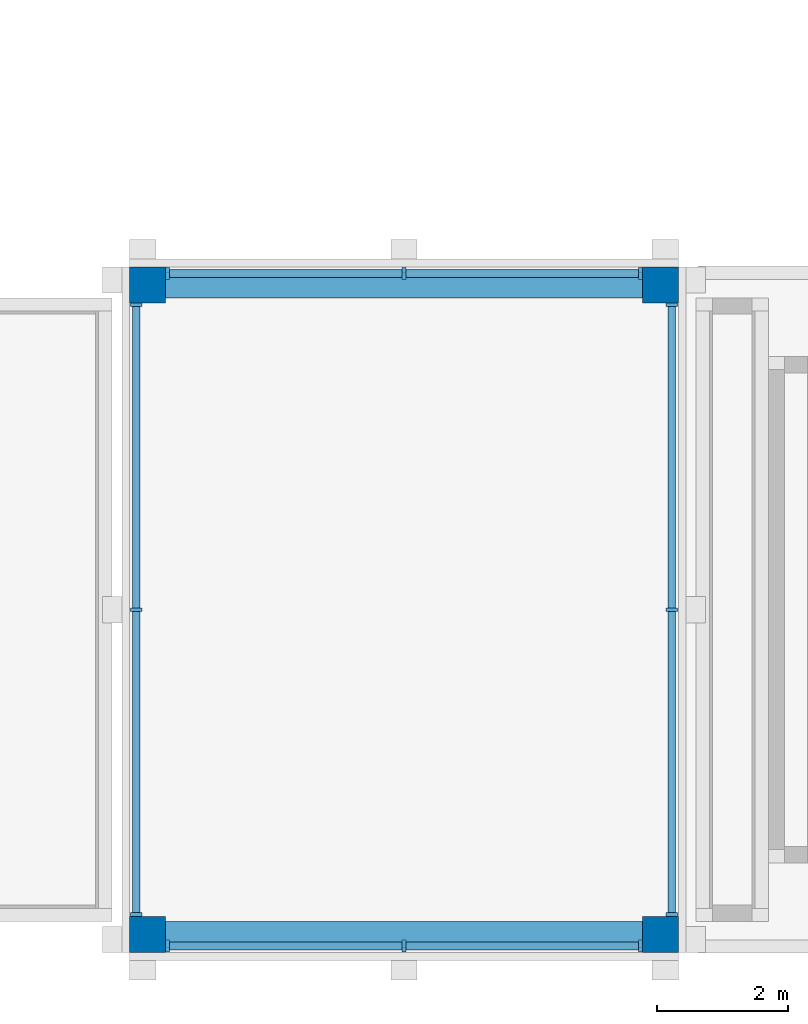
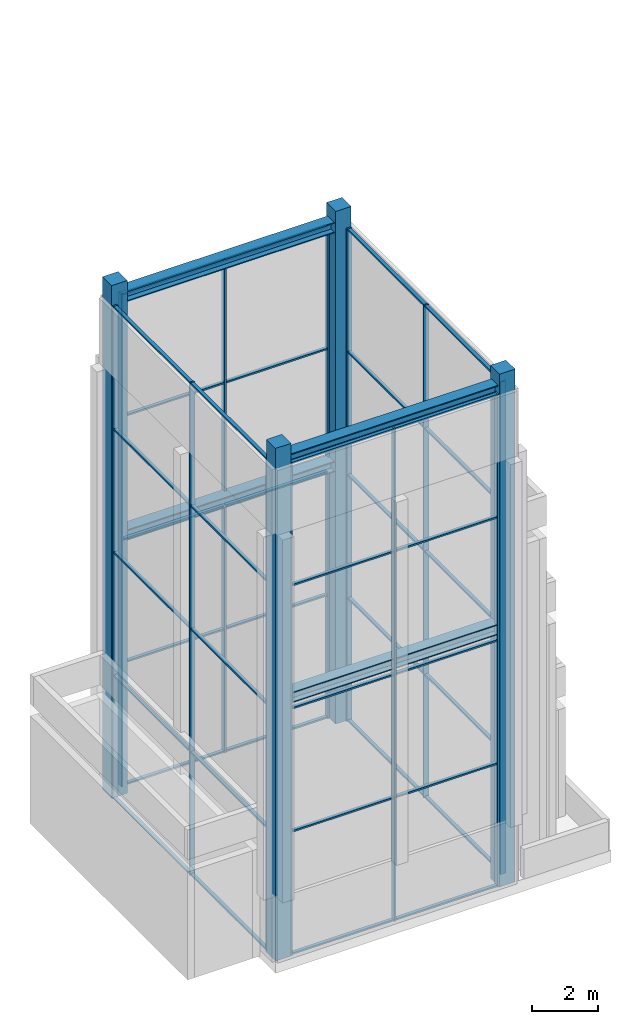
# One storey, part 1 of 4: 52 members, 4 beams, 4 columns, 4 elements without a shape of their own.
"""IFC4 building model written with IfcOpenShell, lengths in metres."""

from ifc_helpers import new_model, si_unit, direction, frame, origin, origin_2d, place, context, subcontext, project, spatial, rectangle, i_section, extrude, source, transform, mapped, material, layer, layer_set, material_profile, profile_set, type_object, element, aggregate, save


model = new_model("IFC4")

# Units and contexts
model_context = context("Model", 3, precision=1e-05, world=origin(), true_north=direction((0.0, 1.0)))
body_context = subcontext(model_context, "Body", "Model", "MODEL_VIEW")
ifc_project = project(units=[si_unit("LENGTHUNIT", "METRE"), si_unit("AREAUNIT", "SQUARE_METRE"), si_unit("VOLUMEUNIT", "CUBIC_METRE"), si_unit("PLANEANGLEUNIT", "RADIAN"), si_unit("MASSUNIT", "GRAM", prefix="KILO")], contexts=[model_context])

# Site, building, storey
site_placement = place(None, origin())
site = spatial("IfcSite", under=ifc_project, at=site_placement, CompositionType="ELEMENT")
building_placement = place(site_placement, origin())
building = spatial("IfcBuilding", under=site, at=building_placement, Name="Aurelian Terraces", CompositionType="ELEMENT")
storey_placement = place(building_placement, frame((0.0, 0.0, 384.5)))
storey = spatial("IfcBuildingStorey", under=building, at=storey_placement, Name="L92", CompositionType="ELEMENT", Elevation=384.5)

# Columns
ifc_material_1 = material(Name="Concrete fc' 55 MPa", Category="concrete")
ifc_material_profile_1 = material_profile(ifc_material_1, rectangle(XDim=0.55, YDim=0.55, at=origin_2d()))
ifc_profile_set_1 = profile_set([ifc_material_profile_1], Name="Concrete fc' 55 MPa")
column_type = type_object("IfcColumnType", Name="RC COLUMN 550X550 FC55", PredefinedType="COLUMN", material=ifc_profile_set_1)
column_placement = place(storey_placement, frame((38.075, 0.275, 0.0), z_axis=(0.0, 0.0, 1.0), x_axis=(1.0, 0.0, 0.0)))
element("IfcColumn", 1, at=column_placement, inside=storey, type_object=column_type, Name="Column 5/A L92", PredefinedType="COLUMN", context=body_context, shape_type="SweptSolid", body=[
    extrude(rectangle(XDim=0.55, YDim=0.55, at=origin_2d()), origin(), (0.0, 0.0, 1.0), 19.0),
])
shared_shape_1 = source(origin(), body_context, "Body", "SweptSolid", [
    extrude(rectangle(XDim=0.55, YDim=0.55, at=origin_2d()), origin(), (0.0, 0.0, 1.0), 19.0),
])
for number, where, z_axis, x_axis, name in (
    (2, (45.925, 0.275, 0.0), (0.0, 0.0, 1.0), (1.0, 0.0, 0.0), "Column 6/A L92"),
    (3, (38.075, 10.225, 0.0), (0.0, 0.0, 1.0), (1.0, 0.0, 0.0), "Column 5/B L92"),
    (4, (45.925, 10.225, 0.0), (0.0, 0.0, 1.0), (1.0, 0.0, 0.0), "Column 6/B L92"),
):
    element("IfcColumn", number, at=place(storey_placement, frame(where, z_axis=z_axis, x_axis=x_axis)), inside=storey, type_object=column_type, Name=name, PredefinedType="COLUMN", context=body_context, shape_type="MappedRepresentation", body=[
        mapped(shared_shape_1, transform((0.0, 0.0, 0.0), scale=1.0)),
    ])

# Beam
ifc_material_2 = material(Name="Steel ASTM A992 Gr50", Category="steel")
ifc_material_profile_2 = material_profile(ifc_material_2, i_section(OverallWidth=0.399, OverallDepth=0.3932, WebThickness=0.0226, FlangeThickness=0.0366, at=origin_2d()))
ifc_profile_set_2 = profile_set([ifc_material_profile_2], Name="Steel ASTM A992 Gr50")
beam_type = type_object("IfcBeamType", Name="CF901 CROWN FRAME RING W14X193", PredefinedType="BEAM", material=ifc_profile_set_2)
beam_placement = place(storey_placement, frame((38.35, 0.275, 9.5), z_axis=(1.0, 0.0, 0.0), x_axis=(0.0, 1.0, 0.0)))
element("IfcBeam", 5, at=beam_placement, inside=storey, type_object=beam_type, Name="Crown frame ring beam MID 1", PredefinedType="BEAM", context=body_context, shape_type="SweptSolid", body=[
    extrude(i_section(OverallWidth=0.399, OverallDepth=0.3932, WebThickness=0.0226, FlangeThickness=0.0366, at=origin_2d()), origin(), (0.0, 0.0, 1.0), 7.3),
])

# Curtain wall, members
ifc_material_3 = material(Name="Anodised aluminium and clear glazing", Category="aluminium")
ifc_layer = layer(ifc_material_3, 0.2)
ifc_layer_set = layer_set([ifc_layer], Name="Crown glazing curtain wall")
curtain_wall_type = type_object("IfcCurtainWallType", Name="Crown glazing curtain wall", PredefinedType="NOTDEFINED", material=ifc_layer_set)
curtain_wall_1_placement = place(storey_placement, origin())
curtain_wall_1 = element("IfcCurtainWall", 6, at=curtain_wall_1_placement, inside=storey, type_object=curtain_wall_type, Name="Crown glazing L92 F01.1", PredefinedType="NOTDEFINED")
ifc_material_4 = material(Name="Anodised aluminium", Category="aluminium")
ifc_material_profile_3 = material_profile(ifc_material_4, rectangle(XDim=0.18, YDim=0.06, at=origin_2d()))
ifc_profile_set_3 = profile_set([ifc_material_profile_3], Name="Anodised aluminium")
member_type_1 = type_object("IfcMemberType", Name="Crown glazing mullion", PredefinedType="MULLION", material=ifc_profile_set_3)
member_1_placement = place(storey_placement, frame((38.38, 0.1, 0.0), z_axis=(0.0, 0.0, 1.0), x_axis=(0.0, 1.0, 0.0)))
member_1 = element("IfcMember", 7, at=member_1_placement, type_object=member_type_1, Name="CW4 mullion 1", PredefinedType="MULLION", context=body_context, shape_type="SweptSolid", body=[
    extrude(rectangle(XDim=0.18, YDim=0.06, at=origin_2d()), origin(), (0.0, 0.0, 1.0), 18.25),
])
ifc_material_profile_4 = material_profile(ifc_material_4, rectangle(XDim=0.12, YDim=0.06, at=origin_2d()))
ifc_profile_set_4 = profile_set([ifc_material_profile_4], Name="Anodised aluminium")
member_type_2 = type_object("IfcMemberType", Name="Crown glazing transom", PredefinedType="USERDEFINED", material=ifc_profile_set_4)
member_2_placement = place(storey_placement, frame((38.41, 0.1, 0.03), z_axis=(1.0, 0.0, 0.0), x_axis=(0.0, 1.0, 0.0)))
member_2 = element("IfcMember", 8, at=member_2_placement, type_object=member_type_2, Name="CW4 transom 1.1", ObjectType="TRANSOM", PredefinedType="USERDEFINED", context=body_context, shape_type="SweptSolid", body=[
    extrude(rectangle(XDim=0.12, YDim=0.06, at=origin_2d()), origin(), (0.0, 0.0, 1.0), 3.56),
])

# Beams
shared_shape_2 = source(origin(), body_context, "Body", "SweptSolid", [
    extrude(i_section(OverallWidth=0.399, OverallDepth=0.3932, WebThickness=0.0226, FlangeThickness=0.0366, at=origin_2d()), origin(), (0.0, 0.0, 1.0), 7.3),
])
for number, where, z_axis, x_axis, name in (
    (9, (38.35, 10.225, 9.5), (1.0, 0.0, 0.0), (0.0, 1.0, 0.0), "Crown frame ring beam MID 2"),
    (10, (38.35, 0.275, 18.3534), (1.0, 0.0, 0.0), (0.0, 1.0, 0.0), "Crown frame ring beam CAP 3"),
    (11, (38.35, 10.225, 18.3534), (1.0, 0.0, 0.0), (0.0, 1.0, 0.0), "Crown frame ring beam CAP 4"),
):
    element("IfcBeam", number, at=place(storey_placement, frame(where, z_axis=z_axis, x_axis=x_axis)), inside=storey, type_object=beam_type, Name=name, PredefinedType="BEAM", context=body_context, shape_type="MappedRepresentation", body=[
        mapped(shared_shape_2, transform((0.0, 0.0, 0.0), scale=1.0)),
    ])

# Curtain wall, members
curtain_wall_2_placement = place(storey_placement, origin())
curtain_wall_2 = element("IfcCurtainWall", 12, at=curtain_wall_2_placement, inside=storey, type_object=curtain_wall_type, Name="Crown glazing L92 F02.1", PredefinedType="NOTDEFINED")
shared_shape_3 = source(origin(), body_context, "Body", "SweptSolid", [
    extrude(rectangle(XDim=0.12, YDim=0.06, at=origin_2d()), origin(), (0.0, 0.0, 1.0), 4.61),
])
member_3_placement = place(storey_placement, frame((46.1, 0.61, 0.03), z_axis=(0.0, 1.0, 0.0), x_axis=(-1.0, 0.0, 0.0)))
member_3 = element("IfcMember", 13, at=member_3_placement, type_object=member_type_2, Name="CW4 transom 1.1", ObjectType="TRANSOM", PredefinedType="USERDEFINED", context=body_context, shape_type="MappedRepresentation", body=[
    mapped(shared_shape_3, transform((0.0, 0.0, 0.0), scale=1.0)),
])
member_4_placement = place(storey_placement, frame((46.1, 0.61, 4.5625), z_axis=(0.0, 1.0, 0.0), x_axis=(-1.0, 0.0, 0.0)))
member_4 = element("IfcMember", 14, at=member_4_placement, type_object=member_type_2, Name="CW4 transom 1.2", ObjectType="TRANSOM", PredefinedType="USERDEFINED", context=body_context, shape_type="MappedRepresentation", body=[
    mapped(shared_shape_3, transform((0.0, 0.0, 0.0), scale=1.0)),
])
member_5_placement = place(storey_placement, frame((46.1, 0.61, 9.125), z_axis=(0.0, 1.0, 0.0), x_axis=(-1.0, 0.0, 0.0)))
member_5 = element("IfcMember", 15, at=member_5_placement, type_object=member_type_2, Name="CW4 transom 1.3", ObjectType="TRANSOM", PredefinedType="USERDEFINED", context=body_context, shape_type="MappedRepresentation", body=[
    mapped(shared_shape_3, transform((0.0, 0.0, 0.0), scale=1.0)),
])
member_6_placement = place(storey_placement, frame((46.1, 0.61, 13.6875), z_axis=(0.0, 1.0, 0.0), x_axis=(-1.0, 0.0, 0.0)))
member_6 = element("IfcMember", 16, at=member_6_placement, type_object=member_type_2, Name="CW4 transom 1.4", ObjectType="TRANSOM", PredefinedType="USERDEFINED", context=body_context, shape_type="MappedRepresentation", body=[
    mapped(shared_shape_3, transform((0.0, 0.0, 0.0), scale=1.0)),
])
member_7_placement = place(storey_placement, frame((46.1, 0.61, 18.22), z_axis=(0.0, 1.0, 0.0), x_axis=(-1.0, 0.0, 0.0)))
member_7 = element("IfcMember", 17, at=member_7_placement, type_object=member_type_2, Name="CW4 transom 1.5", ObjectType="TRANSOM", PredefinedType="USERDEFINED", context=body_context, shape_type="MappedRepresentation", body=[
    mapped(shared_shape_3, transform((0.0, 0.0, 0.0), scale=1.0)),
])
member_8_placement = place(storey_placement, frame((46.1, 5.28, 0.03), z_axis=(0.0, 1.0, 0.0), x_axis=(-1.0, 0.0, 0.0)))
member_8 = element("IfcMember", 18, at=member_8_placement, type_object=member_type_2, Name="CW4 transom 2.1", ObjectType="TRANSOM", PredefinedType="USERDEFINED", context=body_context, shape_type="MappedRepresentation", body=[
    mapped(shared_shape_3, transform((0.0, 0.0, 0.0), scale=1.0)),
])
member_9_placement = place(storey_placement, frame((46.1, 5.28, 4.5625), z_axis=(0.0, 1.0, 0.0), x_axis=(-1.0, 0.0, 0.0)))
member_9 = element("IfcMember", 19, at=member_9_placement, type_object=member_type_2, Name="CW4 transom 2.2", ObjectType="TRANSOM", PredefinedType="USERDEFINED", context=body_context, shape_type="MappedRepresentation", body=[
    mapped(shared_shape_3, transform((0.0, 0.0, 0.0), scale=1.0)),
])
member_10_placement = place(storey_placement, frame((46.1, 5.28, 9.125), z_axis=(0.0, 1.0, 0.0), x_axis=(-1.0, 0.0, 0.0)))
member_10 = element("IfcMember", 20, at=member_10_placement, type_object=member_type_2, Name="CW4 transom 2.3", ObjectType="TRANSOM", PredefinedType="USERDEFINED", context=body_context, shape_type="MappedRepresentation", body=[
    mapped(shared_shape_3, transform((0.0, 0.0, 0.0), scale=1.0)),
])
member_11_placement = place(storey_placement, frame((46.1, 5.28, 13.6875), z_axis=(0.0, 1.0, 0.0), x_axis=(-1.0, 0.0, 0.0)))
member_11 = element("IfcMember", 21, at=member_11_placement, type_object=member_type_2, Name="CW4 transom 2.4", ObjectType="TRANSOM", PredefinedType="USERDEFINED", context=body_context, shape_type="MappedRepresentation", body=[
    mapped(shared_shape_3, transform((0.0, 0.0, 0.0), scale=1.0)),
])
member_12_placement = place(storey_placement, frame((46.1, 5.28, 18.22), z_axis=(0.0, 1.0, 0.0), x_axis=(-1.0, 0.0, 0.0)))
member_12 = element("IfcMember", 22, at=member_12_placement, type_object=member_type_2, Name="CW4 transom 2.5", ObjectType="TRANSOM", PredefinedType="USERDEFINED", context=body_context, shape_type="MappedRepresentation", body=[
    mapped(shared_shape_3, transform((0.0, 0.0, 0.0), scale=1.0)),
])

curtain_wall_3_placement = place(storey_placement, origin())
curtain_wall_3 = element("IfcCurtainWall", 23, at=curtain_wall_3_placement, inside=storey, type_object=curtain_wall_type, Name="Crown glazing L92 F04.1", PredefinedType="NOTDEFINED")
member_13_placement = place(storey_placement, frame((37.9, 9.89, 0.03), z_axis=(0.0, -1.0, 0.0), x_axis=(1.0, 0.0, 0.0)))
member_13 = element("IfcMember", 24, at=member_13_placement, type_object=member_type_2, Name="CW4 transom 1.1", ObjectType="TRANSOM", PredefinedType="USERDEFINED", context=body_context, shape_type="MappedRepresentation", body=[
    mapped(shared_shape_3, transform((0.0, 0.0, 0.0), scale=1.0)),
])
member_14_placement = place(storey_placement, frame((37.9, 9.89, 4.5625), z_axis=(0.0, -1.0, 0.0), x_axis=(1.0, 0.0, 0.0)))
member_14 = element("IfcMember", 25, at=member_14_placement, type_object=member_type_2, Name="CW4 transom 1.2", ObjectType="TRANSOM", PredefinedType="USERDEFINED", context=body_context, shape_type="MappedRepresentation", body=[
    mapped(shared_shape_3, transform((0.0, 0.0, 0.0), scale=1.0)),
])
member_15_placement = place(storey_placement, frame((37.9, 9.89, 9.125), z_axis=(0.0, -1.0, 0.0), x_axis=(1.0, 0.0, 0.0)))
member_15 = element("IfcMember", 26, at=member_15_placement, type_object=member_type_2, Name="CW4 transom 1.3", ObjectType="TRANSOM", PredefinedType="USERDEFINED", context=body_context, shape_type="MappedRepresentation", body=[
    mapped(shared_shape_3, transform((0.0, 0.0, 0.0), scale=1.0)),
])
member_16_placement = place(storey_placement, frame((37.9, 9.89, 13.6875), z_axis=(0.0, -1.0, 0.0), x_axis=(1.0, 0.0, 0.0)))
member_16 = element("IfcMember", 27, at=member_16_placement, type_object=member_type_2, Name="CW4 transom 1.4", ObjectType="TRANSOM", PredefinedType="USERDEFINED", context=body_context, shape_type="MappedRepresentation", body=[
    mapped(shared_shape_3, transform((0.0, 0.0, 0.0), scale=1.0)),
])
member_17_placement = place(storey_placement, frame((37.9, 9.89, 18.22), z_axis=(0.0, -1.0, 0.0), x_axis=(1.0, 0.0, 0.0)))
member_17 = element("IfcMember", 28, at=member_17_placement, type_object=member_type_2, Name="CW4 transom 1.5", ObjectType="TRANSOM", PredefinedType="USERDEFINED", context=body_context, shape_type="MappedRepresentation", body=[
    mapped(shared_shape_3, transform((0.0, 0.0, 0.0), scale=1.0)),
])
member_18_placement = place(storey_placement, frame((37.9, 5.22, 0.03), z_axis=(0.0, -1.0, 0.0), x_axis=(1.0, 0.0, 0.0)))
member_18 = element("IfcMember", 29, at=member_18_placement, type_object=member_type_2, Name="CW4 transom 2.1", ObjectType="TRANSOM", PredefinedType="USERDEFINED", context=body_context, shape_type="MappedRepresentation", body=[
    mapped(shared_shape_3, transform((0.0, 0.0, 0.0), scale=1.0)),
])
member_19_placement = place(storey_placement, frame((37.9, 5.22, 4.5625), z_axis=(0.0, -1.0, 0.0), x_axis=(1.0, 0.0, 0.0)))
member_19 = element("IfcMember", 30, at=member_19_placement, type_object=member_type_2, Name="CW4 transom 2.2", ObjectType="TRANSOM", PredefinedType="USERDEFINED", context=body_context, shape_type="MappedRepresentation", body=[
    mapped(shared_shape_3, transform((0.0, 0.0, 0.0), scale=1.0)),
])
member_20_placement = place(storey_placement, frame((37.9, 5.22, 9.125), z_axis=(0.0, -1.0, 0.0), x_axis=(1.0, 0.0, 0.0)))
member_20 = element("IfcMember", 31, at=member_20_placement, type_object=member_type_2, Name="CW4 transom 2.3", ObjectType="TRANSOM", PredefinedType="USERDEFINED", context=body_context, shape_type="MappedRepresentation", body=[
    mapped(shared_shape_3, transform((0.0, 0.0, 0.0), scale=1.0)),
])
member_21_placement = place(storey_placement, frame((37.9, 5.22, 13.6875), z_axis=(0.0, -1.0, 0.0), x_axis=(1.0, 0.0, 0.0)))
member_21 = element("IfcMember", 32, at=member_21_placement, type_object=member_type_2, Name="CW4 transom 2.4", ObjectType="TRANSOM", PredefinedType="USERDEFINED", context=body_context, shape_type="MappedRepresentation", body=[
    mapped(shared_shape_3, transform((0.0, 0.0, 0.0), scale=1.0)),
])
member_22_placement = place(storey_placement, frame((37.9, 5.22, 18.22), z_axis=(0.0, -1.0, 0.0), x_axis=(1.0, 0.0, 0.0)))
member_22 = element("IfcMember", 33, at=member_22_placement, type_object=member_type_2, Name="CW4 transom 2.5", ObjectType="TRANSOM", PredefinedType="USERDEFINED", context=body_context, shape_type="MappedRepresentation", body=[
    mapped(shared_shape_3, transform((0.0, 0.0, 0.0), scale=1.0)),
])

# Member
shared_shape_4 = source(origin(), body_context, "Body", "SweptSolid", [
    extrude(rectangle(XDim=0.18, YDim=0.06, at=origin_2d()), origin(), (0.0, 0.0, 1.0), 18.25),
])
member_23_placement = place(storey_placement, frame((42.0, 0.1, 0.0), z_axis=(0.0, 0.0, 1.0), x_axis=(0.0, 1.0, 0.0)))
member_23 = element("IfcMember", 34, at=member_23_placement, type_object=member_type_1, Name="CW4 mullion 2", PredefinedType="MULLION", context=body_context, shape_type="MappedRepresentation", body=[
    mapped(shared_shape_4, transform((0.0, 0.0, 0.0), scale=1.0)),
])

member_24_placement = place(storey_placement, frame((45.62, 0.1, 0.0), z_axis=(0.0, 0.0, 1.0), x_axis=(0.0, 1.0, 0.0)))
member_24 = element("IfcMember", 35, at=member_24_placement, type_object=member_type_1, Name="CW4 mullion 3", PredefinedType="MULLION", context=body_context, shape_type="MappedRepresentation", body=[
    mapped(shared_shape_4, transform((0.0, 0.0, 0.0), scale=1.0)),
])

member_25_placement = place(storey_placement, frame((46.1, 0.58, 0.0), z_axis=(0.0, 0.0, 1.0), x_axis=(-1.0, 0.0, 0.0)))
member_25 = element("IfcMember", 36, at=member_25_placement, type_object=member_type_1, Name="CW4 mullion 1", PredefinedType="MULLION", context=body_context, shape_type="MappedRepresentation", body=[
    mapped(shared_shape_4, transform((0.0, 0.0, 0.0), scale=1.0)),
])

member_26_placement = place(storey_placement, frame((46.1, 5.25, 0.0), z_axis=(0.0, 0.0, 1.0), x_axis=(-1.0, 0.0, 0.0)))
member_26 = element("IfcMember", 37, at=member_26_placement, type_object=member_type_1, Name="CW4 mullion 2", PredefinedType="MULLION", context=body_context, shape_type="MappedRepresentation", body=[
    mapped(shared_shape_4, transform((0.0, 0.0, 0.0), scale=1.0)),
])

member_27_placement = place(storey_placement, frame((46.1, 9.92, 0.0), z_axis=(0.0, 0.0, 1.0), x_axis=(-1.0, 0.0, 0.0)))
member_27 = element("IfcMember", 38, at=member_27_placement, type_object=member_type_1, Name="CW4 mullion 3", PredefinedType="MULLION", context=body_context, shape_type="MappedRepresentation", body=[
    mapped(shared_shape_4, transform((0.0, 0.0, 0.0), scale=1.0)),
])

aggregate(curtain_wall_2, [member_25, member_26, member_27, member_3, member_4, member_5, member_6, member_7, member_8, member_9, member_10, member_11, member_12])

# Curtain wall, members
curtain_wall_4_placement = place(storey_placement, origin())
curtain_wall_4 = element("IfcCurtainWall", 39, at=curtain_wall_4_placement, inside=storey, type_object=curtain_wall_type, Name="Crown glazing L92 F03.1", PredefinedType="NOTDEFINED")
member_28_placement = place(storey_placement, frame((45.62, 10.4, 0.0), z_axis=(0.0, 0.0, 1.0), x_axis=(0.0, -1.0, 0.0)))
member_28 = element("IfcMember", 40, at=member_28_placement, type_object=member_type_1, Name="CW4 mullion 1", PredefinedType="MULLION", context=body_context, shape_type="MappedRepresentation", body=[
    mapped(shared_shape_4, transform((0.0, 0.0, 0.0), scale=1.0)),
])
member_29_placement = place(storey_placement, frame((42.0, 10.4, 0.0), z_axis=(0.0, 0.0, 1.0), x_axis=(0.0, -1.0, 0.0)))
member_29 = element("IfcMember", 41, at=member_29_placement, type_object=member_type_1, Name="CW4 mullion 2", PredefinedType="MULLION", context=body_context, shape_type="MappedRepresentation", body=[
    mapped(shared_shape_4, transform((0.0, 0.0, 0.0), scale=1.0)),
])
member_30_placement = place(storey_placement, frame((38.38, 10.4, 0.0), z_axis=(0.0, 0.0, 1.0), x_axis=(0.0, -1.0, 0.0)))
member_30 = element("IfcMember", 42, at=member_30_placement, type_object=member_type_1, Name="CW4 mullion 3", PredefinedType="MULLION", context=body_context, shape_type="MappedRepresentation", body=[
    mapped(shared_shape_4, transform((0.0, 0.0, 0.0), scale=1.0)),
])

# Member
member_31_placement = place(storey_placement, frame((37.9, 9.92, 0.0), z_axis=(0.0, 0.0, 1.0), x_axis=(1.0, 0.0, 0.0)))
member_31 = element("IfcMember", 43, at=member_31_placement, type_object=member_type_1, Name="CW4 mullion 1", PredefinedType="MULLION", context=body_context, shape_type="MappedRepresentation", body=[
    mapped(shared_shape_4, transform((0.0, 0.0, 0.0), scale=1.0)),
])

member_32_placement = place(storey_placement, frame((37.9, 5.25, 0.0), z_axis=(0.0, 0.0, 1.0), x_axis=(1.0, 0.0, 0.0)))
member_32 = element("IfcMember", 44, at=member_32_placement, type_object=member_type_1, Name="CW4 mullion 2", PredefinedType="MULLION", context=body_context, shape_type="MappedRepresentation", body=[
    mapped(shared_shape_4, transform((0.0, 0.0, 0.0), scale=1.0)),
])

member_33_placement = place(storey_placement, frame((37.9, 0.58, 0.0), z_axis=(0.0, 0.0, 1.0), x_axis=(1.0, 0.0, 0.0)))
member_33 = element("IfcMember", 45, at=member_33_placement, type_object=member_type_1, Name="CW4 mullion 3", PredefinedType="MULLION", context=body_context, shape_type="MappedRepresentation", body=[
    mapped(shared_shape_4, transform((0.0, 0.0, 0.0), scale=1.0)),
])

aggregate(curtain_wall_3, [member_31, member_32, member_33, member_13, member_14, member_15, member_16, member_17, member_18, member_19, member_20, member_21, member_22])

shared_shape_5 = source(origin(), body_context, "Body", "SweptSolid", [
    extrude(rectangle(XDim=0.12, YDim=0.06, at=origin_2d()), origin(), (0.0, 0.0, 1.0), 3.56),
])
member_34_placement = place(storey_placement, frame((38.41, 0.1, 4.5625), z_axis=(1.0, 0.0, 0.0), x_axis=(0.0, 1.0, 0.0)))
member_34 = element("IfcMember", 46, at=member_34_placement, type_object=member_type_2, Name="CW4 transom 1.2", ObjectType="TRANSOM", PredefinedType="USERDEFINED", context=body_context, shape_type="MappedRepresentation", body=[
    mapped(shared_shape_5, transform((0.0, 0.0, 0.0), scale=1.0)),
])

member_35_placement = place(storey_placement, frame((38.41, 0.1, 9.125), z_axis=(1.0, 0.0, 0.0), x_axis=(0.0, 1.0, 0.0)))
member_35 = element("IfcMember", 47, at=member_35_placement, type_object=member_type_2, Name="CW4 transom 1.3", ObjectType="TRANSOM", PredefinedType="USERDEFINED", context=body_context, shape_type="MappedRepresentation", body=[
    mapped(shared_shape_5, transform((0.0, 0.0, 0.0), scale=1.0)),
])

member_36_placement = place(storey_placement, frame((38.41, 0.1, 13.6875), z_axis=(1.0, 0.0, 0.0), x_axis=(0.0, 1.0, 0.0)))
member_36 = element("IfcMember", 48, at=member_36_placement, type_object=member_type_2, Name="CW4 transom 1.4", ObjectType="TRANSOM", PredefinedType="USERDEFINED", context=body_context, shape_type="MappedRepresentation", body=[
    mapped(shared_shape_5, transform((0.0, 0.0, 0.0), scale=1.0)),
])

member_37_placement = place(storey_placement, frame((38.41, 0.1, 18.22), z_axis=(1.0, 0.0, 0.0), x_axis=(0.0, 1.0, 0.0)))
member_37 = element("IfcMember", 49, at=member_37_placement, type_object=member_type_2, Name="CW4 transom 1.5", ObjectType="TRANSOM", PredefinedType="USERDEFINED", context=body_context, shape_type="MappedRepresentation", body=[
    mapped(shared_shape_5, transform((0.0, 0.0, 0.0), scale=1.0)),
])

member_38_placement = place(storey_placement, frame((42.03, 0.1, 0.03), z_axis=(1.0, 0.0, 0.0), x_axis=(0.0, 1.0, 0.0)))
member_38 = element("IfcMember", 50, at=member_38_placement, type_object=member_type_2, Name="CW4 transom 2.1", ObjectType="TRANSOM", PredefinedType="USERDEFINED", context=body_context, shape_type="MappedRepresentation", body=[
    mapped(shared_shape_5, transform((0.0, 0.0, 0.0), scale=1.0)),
])

member_39_placement = place(storey_placement, frame((42.03, 0.1, 4.5625), z_axis=(1.0, 0.0, 0.0), x_axis=(0.0, 1.0, 0.0)))
member_39 = element("IfcMember", 51, at=member_39_placement, type_object=member_type_2, Name="CW4 transom 2.2", ObjectType="TRANSOM", PredefinedType="USERDEFINED", context=body_context, shape_type="MappedRepresentation", body=[
    mapped(shared_shape_5, transform((0.0, 0.0, 0.0), scale=1.0)),
])

member_40_placement = place(storey_placement, frame((42.03, 0.1, 9.125), z_axis=(1.0, 0.0, 0.0), x_axis=(0.0, 1.0, 0.0)))
member_40 = element("IfcMember", 52, at=member_40_placement, type_object=member_type_2, Name="CW4 transom 2.3", ObjectType="TRANSOM", PredefinedType="USERDEFINED", context=body_context, shape_type="MappedRepresentation", body=[
    mapped(shared_shape_5, transform((0.0, 0.0, 0.0), scale=1.0)),
])

member_41_placement = place(storey_placement, frame((42.03, 0.1, 13.6875), z_axis=(1.0, 0.0, 0.0), x_axis=(0.0, 1.0, 0.0)))
member_41 = element("IfcMember", 53, at=member_41_placement, type_object=member_type_2, Name="CW4 transom 2.4", ObjectType="TRANSOM", PredefinedType="USERDEFINED", context=body_context, shape_type="MappedRepresentation", body=[
    mapped(shared_shape_5, transform((0.0, 0.0, 0.0), scale=1.0)),
])

member_42_placement = place(storey_placement, frame((42.03, 0.1, 18.22), z_axis=(1.0, 0.0, 0.0), x_axis=(0.0, 1.0, 0.0)))
member_42 = element("IfcMember", 54, at=member_42_placement, type_object=member_type_2, Name="CW4 transom 2.5", ObjectType="TRANSOM", PredefinedType="USERDEFINED", context=body_context, shape_type="MappedRepresentation", body=[
    mapped(shared_shape_5, transform((0.0, 0.0, 0.0), scale=1.0)),
])

aggregate(curtain_wall_1, [member_1, member_23, member_24, member_2, member_34, member_35, member_36, member_37, member_38, member_39, member_40, member_41, member_42])

member_43_placement = place(storey_placement, frame((45.59, 10.4, 0.03), z_axis=(-1.0, 0.0, 0.0), x_axis=(0.0, -1.0, 0.0)))
member_43 = element("IfcMember", 55, at=member_43_placement, type_object=member_type_2, Name="CW4 transom 1.1", ObjectType="TRANSOM", PredefinedType="USERDEFINED", context=body_context, shape_type="MappedRepresentation", body=[
    mapped(shared_shape_5, transform((0.0, 0.0, 0.0), scale=1.0)),
])

member_44_placement = place(storey_placement, frame((45.59, 10.4, 4.5625), z_axis=(-1.0, 0.0, 0.0), x_axis=(0.0, -1.0, 0.0)))
member_44 = element("IfcMember", 56, at=member_44_placement, type_object=member_type_2, Name="CW4 transom 1.2", ObjectType="TRANSOM", PredefinedType="USERDEFINED", context=body_context, shape_type="MappedRepresentation", body=[
    mapped(shared_shape_5, transform((0.0, 0.0, 0.0), scale=1.0)),
])

member_45_placement = place(storey_placement, frame((45.59, 10.4, 9.125), z_axis=(-1.0, 0.0, 0.0), x_axis=(0.0, -1.0, 0.0)))
member_45 = element("IfcMember", 57, at=member_45_placement, type_object=member_type_2, Name="CW4 transom 1.3", ObjectType="TRANSOM", PredefinedType="USERDEFINED", context=body_context, shape_type="MappedRepresentation", body=[
    mapped(shared_shape_5, transform((0.0, 0.0, 0.0), scale=1.0)),
])

member_46_placement = place(storey_placement, frame((45.59, 10.4, 13.6875), z_axis=(-1.0, 0.0, 0.0), x_axis=(0.0, -1.0, 0.0)))
member_46 = element("IfcMember", 58, at=member_46_placement, type_object=member_type_2, Name="CW4 transom 1.4", ObjectType="TRANSOM", PredefinedType="USERDEFINED", context=body_context, shape_type="MappedRepresentation", body=[
    mapped(shared_shape_5, transform((0.0, 0.0, 0.0), scale=1.0)),
])

member_47_placement = place(storey_placement, frame((45.59, 10.4, 18.22), z_axis=(-1.0, 0.0, 0.0), x_axis=(0.0, -1.0, 0.0)))
member_47 = element("IfcMember", 59, at=member_47_placement, type_object=member_type_2, Name="CW4 transom 1.5", ObjectType="TRANSOM", PredefinedType="USERDEFINED", context=body_context, shape_type="MappedRepresentation", body=[
    mapped(shared_shape_5, transform((0.0, 0.0, 0.0), scale=1.0)),
])

member_48_placement = place(storey_placement, frame((41.97, 10.4, 0.03), z_axis=(-1.0, 0.0, 0.0), x_axis=(0.0, -1.0, 0.0)))
member_48 = element("IfcMember", 60, at=member_48_placement, type_object=member_type_2, Name="CW4 transom 2.1", ObjectType="TRANSOM", PredefinedType="USERDEFINED", context=body_context, shape_type="MappedRepresentation", body=[
    mapped(shared_shape_5, transform((0.0, 0.0, 0.0), scale=1.0)),
])

member_49_placement = place(storey_placement, frame((41.97, 10.4, 4.5625), z_axis=(-1.0, 0.0, 0.0), x_axis=(0.0, -1.0, 0.0)))
member_49 = element("IfcMember", 61, at=member_49_placement, type_object=member_type_2, Name="CW4 transom 2.2", ObjectType="TRANSOM", PredefinedType="USERDEFINED", context=body_context, shape_type="MappedRepresentation", body=[
    mapped(shared_shape_5, transform((0.0, 0.0, 0.0), scale=1.0)),
])

member_50_placement = place(storey_placement, frame((41.97, 10.4, 9.125), z_axis=(-1.0, 0.0, 0.0), x_axis=(0.0, -1.0, 0.0)))
member_50 = element("IfcMember", 62, at=member_50_placement, type_object=member_type_2, Name="CW4 transom 2.3", ObjectType="TRANSOM", PredefinedType="USERDEFINED", context=body_context, shape_type="MappedRepresentation", body=[
    mapped(shared_shape_5, transform((0.0, 0.0, 0.0), scale=1.0)),
])

member_51_placement = place(storey_placement, frame((41.97, 10.4, 13.6875), z_axis=(-1.0, 0.0, 0.0), x_axis=(0.0, -1.0, 0.0)))
member_51 = element("IfcMember", 63, at=member_51_placement, type_object=member_type_2, Name="CW4 transom 2.4", ObjectType="TRANSOM", PredefinedType="USERDEFINED", context=body_context, shape_type="MappedRepresentation", body=[
    mapped(shared_shape_5, transform((0.0, 0.0, 0.0), scale=1.0)),
])

member_52_placement = place(storey_placement, frame((41.97, 10.4, 18.22), z_axis=(-1.0, 0.0, 0.0), x_axis=(0.0, -1.0, 0.0)))
member_52 = element("IfcMember", 64, at=member_52_placement, type_object=member_type_2, Name="CW4 transom 2.5", ObjectType="TRANSOM", PredefinedType="USERDEFINED", context=body_context, shape_type="MappedRepresentation", body=[
    mapped(shared_shape_5, transform((0.0, 0.0, 0.0), scale=1.0)),
])

aggregate(curtain_wall_4, [member_28, member_29, member_30, member_43, member_44, member_45, member_46, member_47, member_48, member_49, member_50, member_51, member_52])

save(model, "model.ifc")
